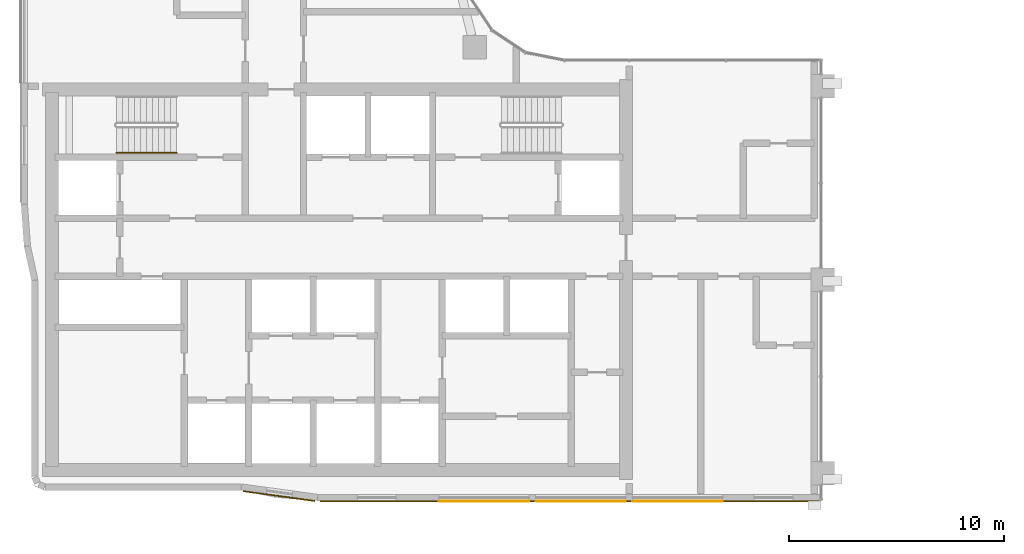
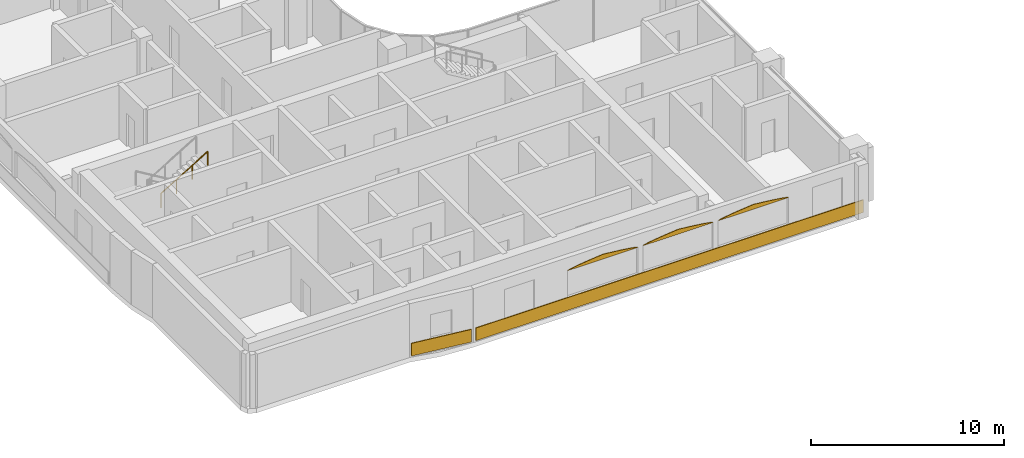
# One storey, part 17 of 23: 5 coverings, 1 railing.
"""IFC4 building model written with IfcOpenShell, lengths in metres."""

from ifc_helpers import new_model, si_unit, direction, frame, origin, origin_2d, place, context, subcontext, project, spatial, polyline, rectangle, circle, outline, extrude, material, layer, layer_set, type_object, element, save


model = new_model("IFC4")

# Units and contexts
model_context = context("Model", 3, precision=1e-05, world=origin(), true_north=direction((0.0, 1.0)))
body_context = subcontext(model_context, "Body", "Model", "MODEL_VIEW")
ifc_project = project(units=[si_unit("LENGTHUNIT", "METRE"), si_unit("AREAUNIT", "SQUARE_METRE"), si_unit("VOLUMEUNIT", "CUBIC_METRE"), si_unit("PLANEANGLEUNIT", "RADIAN"), si_unit("MASSUNIT", "GRAM", prefix="KILO")], contexts=[model_context])

# Site, building, storey
site_placement = place(None, origin())
site = spatial("IfcSite", under=ifc_project, at=site_placement, CompositionType="ELEMENT")
building_placement = place(site_placement, origin())
building = spatial("IfcBuilding", under=site, at=building_placement, Name="Ogive Portal Towers", CompositionType="ELEMENT")
storey_placement = place(building_placement, frame((0.0, 0.0, 164.39990234375)))
storey = spatial("IfcBuildingStorey", under=building, at=storey_placement, Name="L40", CompositionType="ELEMENT", Elevation=164.39990234375)

# Railing
ifc_material_1 = material(Name="Stainless steel handrail", Category="steel")
railing_type = type_object("IfcRailingType", Name="INT-HANDRAIL", PredefinedType="HANDRAIL", material=ifc_material_1)
railing_placement = place(storey_placement, frame((34.64990234375, 36.39990234375, 2.018310546875)))
element("IfcRailing", 1, at=railing_placement, inside=storey, type_object=railing_type, Name="L40 ST-A1 stair handrail 2", PredefinedType="HANDRAIL", context=body_context, shape_type="SweptSolid", body=[
    extrude(circle(Radius=0.02392578125, at=origin_2d()), frame((0.0, 0.0, 0.8759765625), z_axis=(0.857242210791, 0.0, 0.514913383045), x_axis=(0.0, 1.0, 0.0)), (0.0, 0.0, 1.0), 3.266357421875),
    extrude(circle(Radius=0.02099609375, at=origin_2d()), origin(), (0.0, 0.0, 1.0), 0.851806640625),
    extrude(circle(Radius=0.02099609375, at=origin_2d()), frame((0.933349609375, 0.0, 0.560546875)), (0.0, 0.0, 1.0), 0.851806640625),
    extrude(circle(Radius=0.02099609375, at=origin_2d()), frame((1.86669921875, 0.0, 1.121337890625)), (0.0, 0.0, 1.0), 0.851806640625),
    extrude(circle(Radius=0.02099609375, at=origin_2d()), frame((2.800048828125, 0.0, 1.681884765625)), (0.0, 0.0, 1.0), 0.851806640625),
])

# Coverings
ifc_material_2 = material(Name="Limestone cladding on lightweight block wall", Category="masonry")
ifc_layer_1 = layer(ifc_material_2, 0.0400390625)
ifc_layer_set_1 = layer_set([ifc_layer_1], Name="LANCET HEAD STONE")
covering_type_1 = type_object("IfcCoveringType", Name="LANCET HEAD STONE", PredefinedType="CLADDING", material=ifc_layer_set_1)
for number, where, z_axis, x_axis, name in (
    (2, (49.64990234375, 20.215087890625, 2.60009765625), (0.0, 0.999943512381, 0.010628830986), (1.0, 0.0, 0.0), "Lancet head"),
    (3, (54.14990234375, 20.215087890625, 2.60009765625), (0.0, 0.999943512381, 0.010628830986), (1.0, 0.0, 0.0), "Lancet head"),
    (4, (58.64990234375, 20.215087890625, 2.60009765625), (0.0, 0.999943512381, 0.010628830986), (1.0, 0.0, 0.0), "Lancet head"),
):
    element("IfcCovering", number, at=place(storey_placement, frame(where, z_axis=z_axis, x_axis=x_axis)), inside=storey, type_object=covering_type_1, Name=name, PredefinedType="CLADDING", context=body_context, shape_type="SweptSolid", body=[
        extrude(outline(polyline([(0.0, 0.0), (4.2001953125, 0.0), (4.107177734375, -0.03760072230677994), (3.9375, -0.07495472285004258), (3.7177734375, -0.11255544515682253), (3.45751953125, -0.14991204062952518), (3.162353515625, -0.18751016800686512), (2.836181640625, -0.22511089031364506), (2.481201171875, -0.2624648908569077), (2.10009765625, -0.30006561316368763), (1.718994140625, -0.2624648908569077), (1.364013671875, -0.22511089031364506), (1.037841796875, -0.18751016800686512), (0.74267578125, -0.14991204062952518), (0.482421875, -0.11255544515682253), (0.2626953125, -0.07495472285004258), (0.093017578125, -0.03760072230677994), (0.0, 0.0)])), origin(), (0.0, 0.0, -1.0), 0.0400390625),
    ])
ifc_layer_2 = layer(ifc_material_2, 0.050048828125)
ifc_layer_set_2 = layer_set([ifc_layer_2], Name="SCREEN PERFORATED STONE")
covering_type_2 = type_object("IfcCoveringType", Name="SCREEN PERFORATED STONE", PredefinedType="CLADDING", material=ifc_layer_set_2)
covering_1_placement = place(storey_placement, frame((42.21337890625, 20.43408203125, 0.10009765625), z_axis=(0.0, 0.0, 1.0), x_axis=(0.990777310626, -0.135500261066, 0.0)))
element("IfcCovering", 5, at=covering_1_placement, inside=storey, type_object=covering_type_2, Name="Tracery screen", PredefinedType="CLADDING", context=body_context, shape_type="SweptSolid", body=[
    extrude(rectangle(XDim=3.35888671875, YDim=0.050048828125, at=origin_2d()), origin(), (0.0, 0.0, 1.0), 0.800048828125),
])
covering_2_placement = place(storey_placement, frame((55.72021484375, 20.18994140625, 0.10009765625), z_axis=(0.0, 0.0, 1.0), x_axis=(1.0, 0.0, 0.0)))
element("IfcCovering", 6, at=covering_2_placement, inside=storey, type_object=covering_type_2, Name="Tracery screen", PredefinedType="CLADDING", context=body_context, shape_type="SweptSolid", body=[
    extrude(rectangle(XDim=23.199462890625, YDim=0.050048828125, at=origin_2d()), origin(), (0.0, 0.0, 1.0), 0.800048828125),
])

save(model, "model.ifc")
